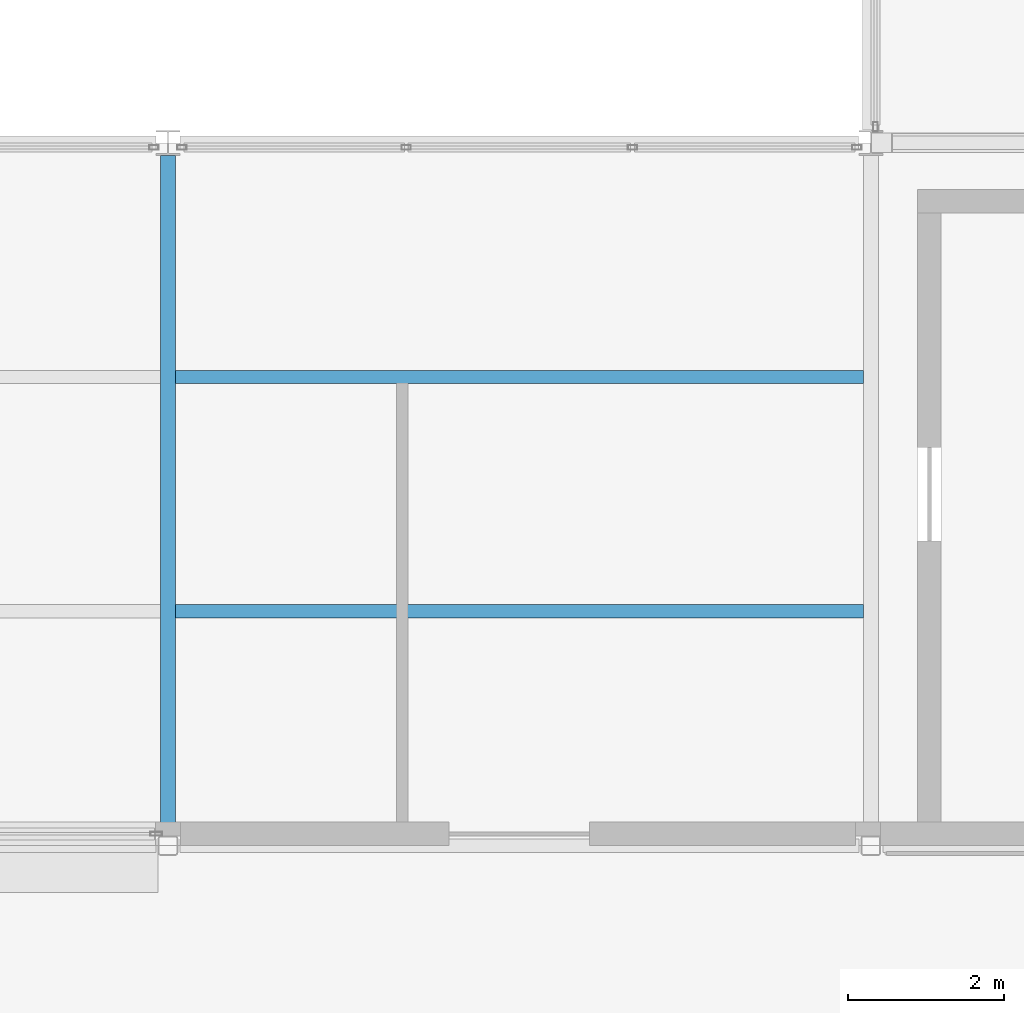
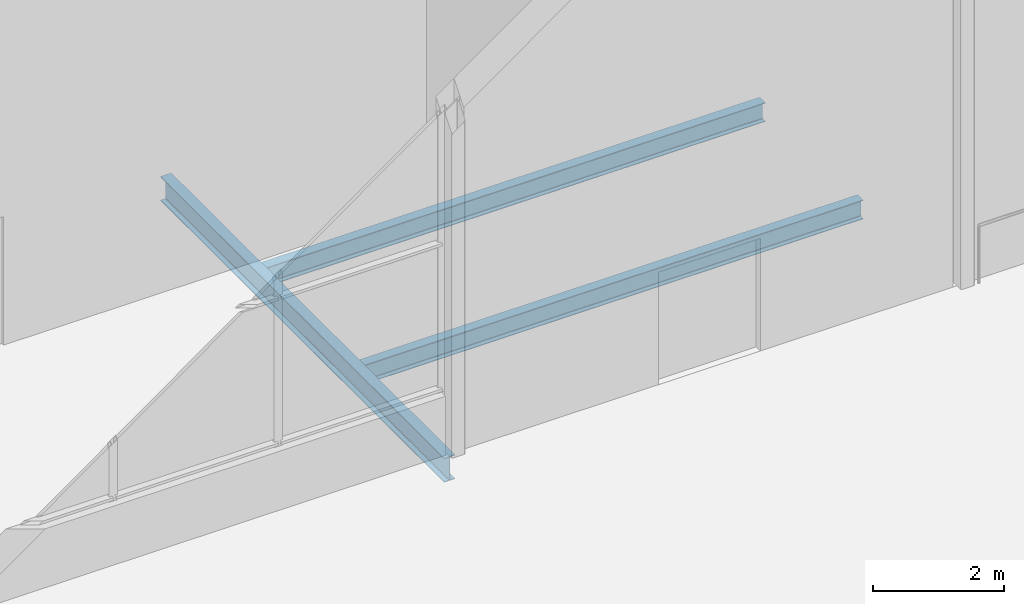
# One storey, part 27 of 111: 3 beams.
"""IFC4 building model written with IfcOpenShell, lengths in metres."""

from ifc_helpers import new_model, si_unit, direction, frame, origin, origin_2d, place, context, subcontext, project, spatial, i_section, extrude, material, material_profile, profile_set, type_object, element, save


model = new_model("IFC4")

# Units and contexts
model_context = context("Model", 3, precision=1e-05, world=origin(), true_north=direction((0.0, 1.0)))
body_context = subcontext(model_context, "Body", "Model", "MODEL_VIEW")
ifc_project = project(units=[si_unit("LENGTHUNIT", "METRE"), si_unit("AREAUNIT", "SQUARE_METRE"), si_unit("VOLUMEUNIT", "CUBIC_METRE"), si_unit("PLANEANGLEUNIT", "RADIAN"), si_unit("MASSUNIT", "GRAM", prefix="KILO")], contexts=[model_context])

# Site, building, storey
site_placement = place(None, origin())
site = spatial("IfcSite", under=ifc_project, at=site_placement, CompositionType="ELEMENT")
building_placement = place(site_placement, origin())
building = spatial("IfcBuilding", under=site, at=building_placement, Name="Shorebreak Coast Museum", CompositionType="ELEMENT")
storey_placement = place(building_placement, frame((0.0, 0.0, 16.0)))
storey = spatial("IfcBuildingStorey", under=building, at=storey_placement, Name="L03", CompositionType="ELEMENT", Elevation=16.0)

# Beams
ifc_material_1 = material(Name="Steel Grade 300", Category="steel")
ifc_material_profile_1 = material_profile(ifc_material_1, i_section(OverallWidth=0.18994140625, OverallDepth=0.453857421875, WebThickness=0.008544921875, FlangeThickness=0.0126953125, FilletRadius=0.011474609375, at=origin_2d()), Name="460UB67.1")
ifc_profile_set_1 = profile_set([ifc_material_profile_1], Name="Steel Grade 300")
beam_type_1 = type_object("IfcBeamType", Name="Floor girder north-south 460UB67.1", PredefinedType="BEAM", material=ifc_profile_set_1)
beam_placement = place(storey_placement, frame((99.0, 54.1572265625, -0.40185546875), z_axis=(0.0, 1.0, 0.0), x_axis=(-1.0, 0.0, 0.0)))
element("IfcBeam", 1, at=beam_placement, inside=storey, type_object=beam_type_1, Name="Floor girder north-south L03 12G", PredefinedType="BEAM", context=body_context, shape_type="SweptSolid", body=[
    extrude(i_section(OverallWidth=0.18994140625, OverallDepth=0.453857421875, WebThickness=0.008544921875, FlangeThickness=0.0126953125, FilletRadius=0.011474609375, at=origin_2d()), origin(), (0.0, 0.0, 1.0), 8.67919921875),
])
ifc_material_2 = material(Name="Steel Grade 300", Category="steel")
ifc_material_profile_2 = material_profile(ifc_material_2, i_section(OverallWidth=0.1708984375, OverallDepth=0.355712890625, WebThickness=0.00732421875, FlangeThickness=0.011474609375, FilletRadius=0.011474609375, at=origin_2d()), Name="360UB50.7")
ifc_profile_set_2 = profile_set([ifc_material_profile_2], Name="Steel Grade 300")
beam_type_2 = type_object("IfcBeamType", Name="Floor joist 360UB50.7", PredefinedType="JOIST", material=ifc_profile_set_2)
for number, where, z_axis, x_axis, name in (
    (2, (99.094970703125, 57.0, -0.352783203125), (1.0, 0.0, 0.0), (0.0, 1.0, 0.0), "Floor joist L03 bay 12G at 3000 mm"),
    (3, (99.094970703125, 60.0, -0.352783203125), (1.0, 0.0, 0.0), (0.0, 1.0, 0.0), "Floor joist L03 bay 12G at 6000 mm"),
):
    element("IfcBeam", number, at=place(storey_placement, frame(where, z_axis=z_axis, x_axis=x_axis)), inside=storey, type_object=beam_type_2, Name=name, PredefinedType="JOIST", context=body_context, shape_type="SweptSolid", body=[
        extrude(i_section(OverallWidth=0.1708984375, OverallDepth=0.355712890625, WebThickness=0.00732421875, FlangeThickness=0.011474609375, FilletRadius=0.011474609375, at=origin_2d()), origin(), (0.0, 0.0, 1.0), 8.81005859375),
    ])

save(model, "model.ifc")
